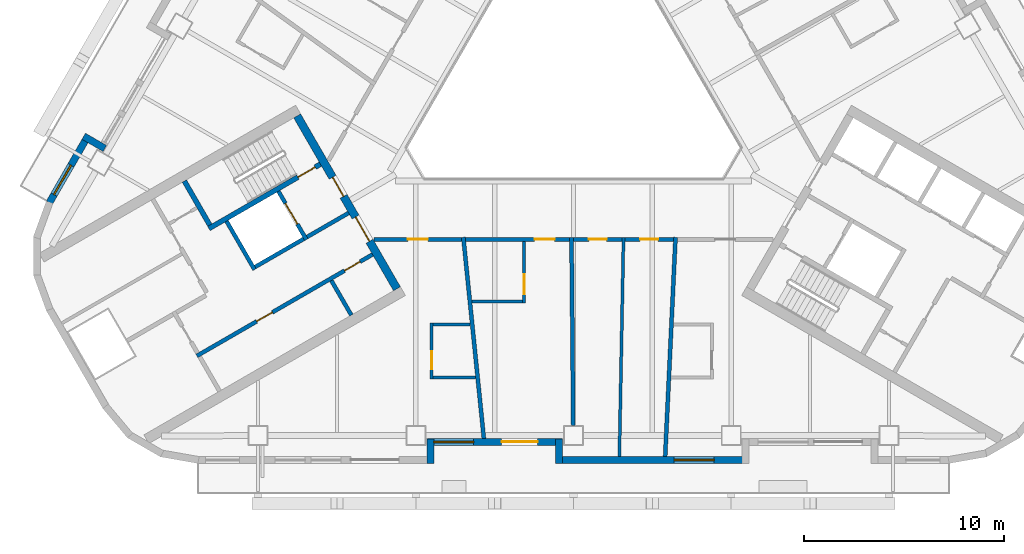
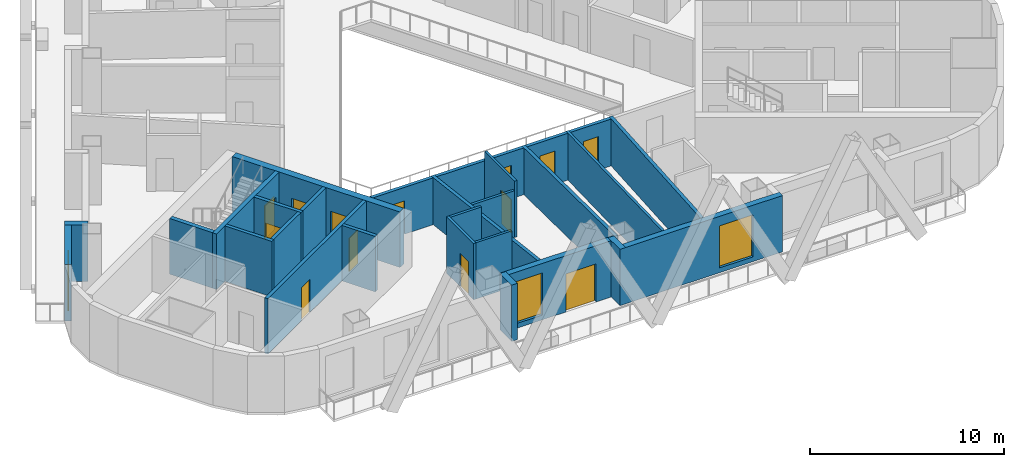
# One storey, part 3 of 14: 28 walls, 13 doors, 3 windows, 16 openings.
"""IFC4 building model written with IfcOpenShell, lengths in metres."""

from ifc_helpers import new_model, si_unit, direction, frame, frame_2d, origin, place, context, subcontext, project, spatial, rectangle, extrude, material, layer, layer_set, type_object, element, fill, save


model = new_model("IFC4")

# Units and contexts
model_context = context("Model", 3, precision=1e-05, world=origin(), true_north=direction((0.0, 1.0)))
body_context = subcontext(model_context, "Body", "Model", "MODEL_VIEW")
ifc_project = project(units=[si_unit("LENGTHUNIT", "METRE"), si_unit("AREAUNIT", "SQUARE_METRE"), si_unit("VOLUMEUNIT", "CUBIC_METRE"), si_unit("PLANEANGLEUNIT", "RADIAN"), si_unit("MASSUNIT", "GRAM", prefix="KILO")], contexts=[model_context])

# Site, building, storey
site_placement = place(None, origin())
site = spatial("IfcSite", under=ifc_project, at=site_placement, CompositionType="ELEMENT")
building_placement = place(site_placement, origin())
building = spatial("IfcBuilding", under=site, at=building_placement, Name="Apuvela Tower Hotel", CompositionType="ELEMENT")
storey_placement = place(building_placement, frame((0.0, 0.0, 76.10009765625)))
storey = spatial("IfcBuildingStorey", under=building, at=storey_placement, Name="L16", CompositionType="ELEMENT", Elevation=76.10009765625)

# Wall, openings, doors
ifc_material_1 = material(Name="Concrete C50/60", Category="concrete")
ifc_layer_1 = layer(ifc_material_1, 0.39990234375)
ifc_layer_set_1 = layer_set([ifc_layer_1], Name="COR-WALL-CORE-400")
wall_type_1 = type_object("IfcWallType", Name="COR-WALL-CORE-400", PredefinedType="SHEAR", material=ifc_layer_set_1)
wall_1_placement = place(storey_placement, frame((-13.844970703125, -2.219970703125, 0.0), z_axis=(0.0, 0.0, 1.0), x_axis=(0.500004234368, -0.866022959057, 0.0)))
wall_1 = element("IfcWall", 1, at=wall_1_placement, inside=storey, type_object=wall_type_1, Name="Core wall SW", PredefinedType="SHEAR", context=body_context, shape_type="SweptSolid", body=[
    extrude(rectangle(XDim=10.0, YDim=0.39990234375, at=frame_2d((5.0, 0.0))), origin(), (0.0, 0.0, 1.0), 3.5),
])
opening_1_placement = place(wall_1_placement, frame((3.550048828125, 0.0, 0.0)))
opening_1 = element("IfcOpeningElement", 2, at=opening_1_placement, cuts=wall_1, Name="Opening W-FD", PredefinedType="OPENING", context=body_context, shape_type="SweptSolid", body=[
    extrude(rectangle(XDim=1.10009765625, YDim=2.10009765625, at=frame_2d((0.550048828125, 1.050048828125))), frame((0.0, 0.2099609375, 0.0), z_axis=(0.0, -1.0, 0.0), x_axis=(1.0, 0.0, 0.0)), (0.0, 0.0, 1.0), 0.419921875),
])
opening_2_placement = place(wall_1_placement, frame((5.85009765625, 0.0, 0.0)))
opening_2 = element("IfcOpeningElement", 3, at=opening_2_placement, cuts=wall_1, Name="Opening W-GD", PredefinedType="OPENING", context=body_context, shape_type="SweptSolid", body=[
    extrude(rectangle(XDim=1.39990234375, YDim=2.10009765625, at=frame_2d((0.699951171875, 1.050048828125))), frame((0.0, 0.2099609375, 0.0), z_axis=(0.0, -1.0, 0.0), x_axis=(1.0, 0.0, 0.0)), (0.0, 0.0, 1.0), 0.419921875),
])
ifc_material_2 = material(Name="Steel fire door, powder coated", Category="steel")
door_type_1 = type_object("IfcDoorType", Name="COR-FD-1100", OperationType="NOTDEFINED", PredefinedType="DOOR", material=ifc_material_2)
door_1_placement = place(opening_1_placement, frame((1.10009765625, 0.0, 0.0), z_axis=(0.0, 0.0, 1.0), x_axis=(-1.0, 0.0, 0.0)))
door_1 = element("IfcDoor", 4, at=door_1_placement, inside=storey, type_object=door_type_1, Name="Firefighting lobby door W-FD", OperationType="SINGLE_SWING_LEFT", OverallHeight=2.10009765625, OverallWidth=1.10009765625, PredefinedType="DOOR", context=body_context, shape_type="SweptSolid", body=[
    extrude(rectangle(XDim=1.10009765625, YDim=2.10009765625, at=frame_2d((0.550048828125, 1.050048828125))), frame((0.0, 0.02490234375, 0.0), z_axis=(0.0, -1.0, 0.0), x_axis=(1.0, 0.0, 0.0)), (0.0, 0.0, 1.0), 0.050048828125),
])
fill(opening_1, door_1)
ifc_material_3 = material(Name="Glazed steel fire door", Category="steel")
door_type_2 = type_object("IfcDoorType", Name="COR-GD-1400", OperationType="DOUBLE_DOOR_SINGLE_SWING", PredefinedType="DOOR", material=ifc_material_3)
door_2_placement = place(opening_2_placement, frame((1.39990234375, 0.0, 0.0), z_axis=(0.0, 0.0, 1.0), x_axis=(-1.0, 0.0, 0.0)))
door_2 = element("IfcDoor", 5, at=door_2_placement, inside=storey, type_object=door_type_2, Name="Lift lobby door W-GD", OperationType="DOUBLE_DOOR_SINGLE_SWING", OverallHeight=2.10009765625, OverallWidth=1.39990234375, PredefinedType="DOOR", context=body_context, shape_type="SweptSolid", body=[
    extrude(rectangle(XDim=1.39990234375, YDim=2.10009765625, at=frame_2d((0.699951171875, 1.050048828125))), frame((0.0, 0.02490234375, 0.0), z_axis=(0.0, -1.0, 0.0), x_axis=(1.0, 0.0, 0.0)), (0.0, 0.0, 1.0), 0.050048828125),
])
fill(opening_2, door_2)

# Wall
ifc_layer_2 = layer(ifc_material_1, 0.199951171875)
ifc_layer_set_2 = layer_set([ifc_layer_2], Name="COR-WALL-SHAFT-200")
wall_type_2 = type_object("IfcWallType", Name="COR-WALL-SHAFT-200", PredefinedType="SHEAR", material=ifc_layer_set_2)
wall_2_placement = place(storey_placement, frame((-17.38134765625, -7.49462890625, 0.0), z_axis=(0.0, 0.0, 1.0), x_axis=(0.500011755427, -0.866018616679, 0.0)))
element("IfcWall", 6, at=wall_2_placement, inside=storey, type_object=wall_type_2, Name="Shaft wall SW", PredefinedType="SHEAR", context=body_context, shape_type="SweptSolid", body=[
    extrude(rectangle(XDim=2.80029296875, YDim=0.199951171875, at=frame_2d((1.400146484375, 0.0))), origin(), (0.0, 0.0, 1.0), 3.5),
])

# Wall, opening, door
wall_3_placement = place(storey_placement, frame((-14.783203125, -5.99462890625, 0.0), z_axis=(0.0, 0.0, 1.0), x_axis=(0.49994636267, -0.866056369097, 0.0)))
wall_3 = element("IfcWall", 7, at=wall_3_placement, inside=storey, type_object=wall_type_2, Name="Shaft wall SW", PredefinedType="SHEAR", context=body_context, shape_type="SweptSolid", body=[
    extrude(rectangle(XDim=2.800048828125, YDim=0.199951171875, at=frame_2d((1.39990234375, 0.0))), origin(), (0.0, 0.0, 1.0), 3.5),
])
opening_3_placement = place(wall_3_placement, frame((0.699951171875, 0.0, 0.0)))
opening_3 = element("IfcOpeningElement", 8, at=opening_3_placement, cuts=wall_3, Name="Opening W-LD-FS2", PredefinedType="OPENING", context=body_context, shape_type="SweptSolid", body=[
    extrude(rectangle(XDim=1.199951171875, YDim=2.10009765625, at=frame_2d((0.60009765625, 1.050048828125))), frame((0.0, 0.10986328125, 0.0), z_axis=(0.0, -1.0, 0.0), x_axis=(1.0, 0.0, 0.0)), (0.0, 0.0, 1.0), 0.219970703125),
])
ifc_material_4 = material(Name="Stainless steel lift landing door", Category="steel")
door_type_3 = type_object("IfcDoorType", Name="COR-LD-1200", OperationType="DOUBLE_DOOR_SLIDING", PredefinedType="DOOR", material=ifc_material_4)
door_3_placement = place(opening_3_placement, origin())
door_3 = element("IfcDoor", 9, at=door_3_placement, inside=storey, type_object=door_type_3, Name="Lift landing door W-LD-FS2", OperationType="DOUBLE_DOOR_SLIDING", OverallHeight=2.10009765625, OverallWidth=1.199951171875, PredefinedType="DOOR", context=body_context, shape_type="SweptSolid", body=[
    extrude(rectangle(XDim=1.199951171875, YDim=2.10009765625, at=frame_2d((0.60009765625, 1.050048828125))), frame((0.0, 0.02490234375, 0.0), z_axis=(0.0, -1.0, 0.0), x_axis=(1.0, 0.0, 0.0)), (0.0, 0.0, 1.0), 0.050048828125),
])
fill(opening_3, door_3)

# Walls
wall_4_placement = place(storey_placement, frame((-13.519775390625, -8.383056640625, 0.0), z_axis=(0.0, 0.0, 1.0), x_axis=(-0.866034573852, -0.49998411664, 0.0)))
element("IfcWall", 10, at=wall_4_placement, inside=storey, type_object=wall_type_2, Name="Shaft wall SW", PredefinedType="SHEAR", context=body_context, shape_type="SweptSolid", body=[
    extrude(rectangle(XDim=2.7998046875, YDim=0.199951171875, at=frame_2d((1.39990234375, 0.0))), origin(), (0.0, 0.0, 1.0), 3.5),
])
wall_5_placement = place(storey_placement, frame((-11.26806640625, -7.0830078125, 0.0), z_axis=(0.0, 0.0, 1.0), x_axis=(-0.866050077142, -0.499957262057, 0.0)))
element("IfcWall", 11, at=wall_5_placement, inside=storey, type_object=wall_type_2, Name="Shaft wall SW", PredefinedType="SHEAR", context=body_context, shape_type="SweptSolid", body=[
    extrude(rectangle(XDim=2.400146484375, YDim=0.199951171875, at=frame_2d((1.2001953125, 0.0))), origin(), (0.0, 0.0, 1.0), 3.5),
])

# Wall, openings, doors
wall_6_placement = place(storey_placement, frame((-10.068115234375, -9.16162109375, 0.0), z_axis=(0.0, 0.0, 1.0), x_axis=(-0.866032725843, -0.499987317609, 0.0)))
wall_6 = element("IfcWall", 12, at=wall_6_placement, inside=storey, type_object=wall_type_2, Name="Shaft wall SW", PredefinedType="SHEAR", context=body_context, shape_type="SweptSolid", body=[
    extrude(rectangle(XDim=10.159912109375, YDim=0.199951171875, at=frame_2d((5.080078125, 0.0))), origin(), (0.0, 0.0, 1.0), 3.5),
])
opening_4_placement = place(wall_6_placement, frame((0.719970703125, 0.0, 0.0)))
opening_4 = element("IfcOpeningElement", 13, at=opening_4_placement, cuts=wall_6, Name="Opening W-RE1", PredefinedType="OPENING", context=body_context, shape_type="SweptSolid", body=[
    extrude(rectangle(XDim=0.89990234375, YDim=2.10009765625, at=frame_2d((0.449951171875, 1.050048828125))), frame((0.0, 0.10986328125, 0.0), z_axis=(0.0, -1.0, 0.0), x_axis=(1.0, 0.0, 0.0)), (0.0, 0.0, 1.0), 0.219970703125),
])
opening_5_placement = place(wall_6_placement, frame((5.800048828125, 0.0, 0.0)))
opening_5 = element("IfcOpeningElement", 14, at=opening_5_placement, cuts=wall_6, Name="Opening W-RE2", PredefinedType="OPENING", context=body_context, shape_type="SweptSolid", body=[
    extrude(rectangle(XDim=0.89990234375, YDim=2.10009765625, at=frame_2d((0.449951171875, 1.050048828125))), frame((0.0, 0.10986328125, 0.0), z_axis=(0.0, -1.0, 0.0), x_axis=(1.0, 0.0, 0.0)), (0.0, 0.0, 1.0), 0.219970703125),
])
door_type_4 = type_object("IfcDoorType", Name="COR-DR-900", OperationType="NOTDEFINED", PredefinedType="DOOR", material=ifc_material_2)
door_4_placement = place(opening_4_placement, origin())
door_4 = element("IfcDoor", 15, at=door_4_placement, inside=storey, type_object=door_type_4, Name="Store door W-RE1", OperationType="SINGLE_SWING_LEFT", OverallHeight=2.10009765625, OverallWidth=0.89990234375, PredefinedType="DOOR", context=body_context, shape_type="SweptSolid", body=[
    extrude(rectangle(XDim=0.89990234375, YDim=2.10009765625, at=frame_2d((0.449951171875, 1.050048828125))), frame((0.0, 0.02490234375, 0.0), z_axis=(0.0, -1.0, 0.0), x_axis=(1.0, 0.0, 0.0)), (0.0, 0.0, 1.0), 0.050048828125),
])
fill(opening_4, door_4)
door_5_placement = place(opening_5_placement, origin())
door_5 = element("IfcDoor", 16, at=door_5_placement, inside=storey, type_object=door_type_4, Name="Store door W-RE2", OperationType="SINGLE_SWING_RIGHT", OverallHeight=2.10009765625, OverallWidth=0.89990234375, PredefinedType="DOOR", context=body_context, shape_type="SweptSolid", body=[
    extrude(rectangle(XDim=0.89990234375, YDim=2.10009765625, at=frame_2d((0.449951171875, 1.050048828125))), frame((0.0, 0.02490234375, 0.0), z_axis=(0.0, -1.0, 0.0), x_axis=(1.0, 0.0, 0.0)), (0.0, 0.0, 1.0), 0.050048828125),
])
fill(opening_5, door_5)

# Wall
wall_7_placement = place(storey_placement, frame((-12.131103515625, -10.468017578125, 0.0), z_axis=(0.0, 0.0, 1.0), x_axis=(0.499972520799, -0.866041268327, 0.0)))
element("IfcWall", 17, at=wall_7_placement, inside=storey, type_object=wall_type_2, Name="Shaft wall SW", PredefinedType="SHEAR", context=body_context, shape_type="SweptSolid", body=[
    extrude(rectangle(XDim=2.0, YDim=0.199951171875, at=frame_2d((1.0, 0.0))), origin(), (0.0, 0.0, 1.0), 3.5),
])

# Wall, opening, door
ifc_layer_3 = layer(ifc_material_1, 0.25)
ifc_layer_set_3 = layer_set([ifc_layer_3], Name="COR-WALL-STAIR-250")
wall_type_3 = type_object("IfcWallType", Name="COR-WALL-STAIR-250", PredefinedType="SHEAR", material=ifc_layer_set_3)
wall_8_placement = place(storey_placement, frame((-12.6806640625, -4.636474609375, 0.0), z_axis=(0.0, 0.0, 1.0), x_axis=(-0.866021702275, -0.500006411147, 0.0)))
wall_8 = element("IfcWall", 18, at=wall_8_placement, inside=storey, type_object=wall_type_3, Name="Stair wall SW", PredefinedType="SHEAR", context=body_context, shape_type="SweptSolid", body=[
    extrude(rectangle(XDim=6.4501953125, YDim=0.25, at=frame_2d((3.22509765625, 0.0))), origin(), (0.0, 0.0, 1.0), 3.5),
])
opening_6_placement = place(wall_8_placement, frame((0.300048828125, 0.0, 0.0)))
opening_6 = element("IfcOpeningElement", 19, at=opening_6_placement, cuts=wall_8, Name="Opening W-SD", PredefinedType="OPENING", context=body_context, shape_type="SweptSolid", body=[
    extrude(rectangle(XDim=1.0, YDim=2.10009765625, at=frame_2d((0.5, 1.050048828125))), frame((0.0, 0.135009765625, 0.0), z_axis=(0.0, -1.0, 0.0), x_axis=(1.0, 0.0, 0.0)), (0.0, 0.0, 1.0), 0.27001953125),
])
door_type_5 = type_object("IfcDoorType", Name="COR-SD-1000", OperationType="NOTDEFINED", PredefinedType="DOOR", material=ifc_material_2)
door_6_placement = place(opening_6_placement, frame((1.0, 0.0, 0.0), z_axis=(0.0, 0.0, 1.0), x_axis=(-1.0, 0.0, 0.0)))
door_6 = element("IfcDoor", 20, at=door_6_placement, inside=storey, type_object=door_type_5, Name="Stair door W-SD", OperationType="SINGLE_SWING_LEFT", OverallHeight=2.10009765625, OverallWidth=1.0, PredefinedType="DOOR", context=body_context, shape_type="SweptSolid", body=[
    extrude(rectangle(XDim=1.0, YDim=2.10009765625, at=frame_2d((0.5, 1.050048828125))), frame((0.0, 0.02490234375, 0.0), z_axis=(0.0, -1.0, 0.0), x_axis=(1.0, 0.0, 0.0)), (0.0, 0.0, 1.0), 0.050048828125),
])
fill(opening_6, door_6)

# Walls
wall_9_placement = place(storey_placement, frame((-19.49560546875, -5.482421875, 0.0), z_axis=(0.0, 0.0, 1.0), x_axis=(0.499990435942, -0.866030925526, 0.0)))
element("IfcWall", 21, at=wall_9_placement, inside=storey, type_object=wall_type_3, Name="Stair wall SW", PredefinedType="SHEAR", context=body_context, shape_type="SweptSolid", body=[
    extrude(rectangle(XDim=2.5498046875, YDim=0.25, at=frame_2d((1.27490234375, 0.0))), origin(), (0.0, 0.0, 1.0), 3.5),
])
ifc_material_5 = material(Name="Concrete C40/50, dark pigmented precast panel", Category="concrete")
ifc_layer_4 = layer(ifc_material_5, 0.35009765625)
ifc_layer_set_4 = layer_set([ifc_layer_4], Name="ENV-WALL-350")
wall_type_4 = type_object("IfcWallType", Name="ENV-WALL-350", PredefinedType="SOLIDWALL", material=ifc_layer_set_4)
wall_10_placement = place(storey_placement, frame((-23.48095703125, -3.85009765625, 0.0), z_axis=(0.0, 0.0, 1.0), x_axis=(-0.866092288191, 0.499884134912, 0.0)))
element("IfcWall", 22, at=wall_10_placement, inside=storey, type_object=wall_type_4, Name="External wall L16-08", PredefinedType="SOLIDWALL", context=body_context, shape_type="SweptSolid", body=[
    extrude(rectangle(XDim=1.219970703125, YDim=0.35009765625, at=frame_2d((0.60986328125, 0.0))), origin(), (0.0, 0.0, 1.0), 3.5498046875),
])

# Wall, opening, window
wall_11_placement = place(storey_placement, frame((-24.298583984375, -3.17626953125, 0.0), z_axis=(0.0, 0.0, 1.0), x_axis=(-0.500028278809, -0.866009076391, 0.0)))
wall_11 = element("IfcWall", 23, at=wall_11_placement, inside=storey, type_object=wall_type_4, Name="External wall L16-09", PredefinedType="SOLIDWALL", context=body_context, shape_type="SweptSolid", body=[
    extrude(rectangle(XDim=3.915771484375, YDim=0.35009765625, at=frame_2d((1.9580078125, 0.0))), origin(), (0.0, 0.0, 1.0), 3.5498046875),
])
opening_7_placement = place(wall_11_placement, frame((1.750244140625, 0.0, 0.300048828125)))
opening_7 = element("IfcOpeningElement", 24, at=opening_7_placement, cuts=wall_11, Name="Opening WN17", PredefinedType="OPENING", context=body_context, shape_type="SweptSolid", body=[
    extrude(rectangle(XDim=1.699951171875, YDim=2.64990234375, at=frame_2d((0.85009765625, 1.324951171875))), frame((0.0, 0.18505859375, 0.0), z_axis=(0.0, -1.0, 0.0), x_axis=(1.0, 0.0, 0.0)), (0.0, 0.0, 1.0), 0.3701171875),
])
ifc_material_6 = material(Name="Glass, dark tinted laminated insulated glazing unit", Category="glass")
window_type_1 = type_object("IfcWindowType", Name="ENV-WIN-1700x2650", PartitioningType="SINGLE_PANEL", PredefinedType="WINDOW", material=ifc_material_6)
window_1_placement = place(opening_7_placement, origin())
window_1 = element("IfcWindow", 25, at=window_1_placement, inside=storey, type_object=window_type_1, Name="Window WN17", OverallHeight=2.64990234375, OverallWidth=1.699951171875, PartitioningType="SINGLE_PANEL", PredefinedType="WINDOW", context=body_context, shape_type="SweptSolid", body=[
    extrude(rectangle(XDim=1.699951171875, YDim=2.64990234375, at=frame_2d((0.85009765625, 1.324951171875))), frame((0.0, 0.030029296875, 0.0), z_axis=(0.0, -1.0, 0.0), x_axis=(1.0, 0.0, 0.0)), (0.0, 0.0, 1.0), 0.06005859375),
])
fill(opening_7, window_1)

# Wall
wall_12_placement = place(storey_placement, frame((-7.175048828125, -19.6298828125, 0.0), z_axis=(0.0, 0.0, 1.0), x_axis=(0.0, 1.0, 0.0)))
element("IfcWall", 26, at=wall_12_placement, inside=storey, type_object=wall_type_4, Name="External wall L16-18", PredefinedType="SOLIDWALL", context=body_context, shape_type="SweptSolid", body=[
    extrude(rectangle(XDim=1.219970703125, YDim=0.35009765625, at=frame_2d((0.60986328125, 0.0))), origin(), (0.0, 0.0, 1.0), 3.5498046875),
])

# Wall, openings, door, window
wall_13_placement = place(storey_placement, frame((-7.320068359375, -18.554931640625, 0.0), z_axis=(0.0, 0.0, 1.0), x_axis=(1.0, 0.0, 0.0)))
wall_13 = element("IfcWall", 27, at=wall_13_placement, inside=storey, type_object=wall_type_4, Name="External wall L16-19", PredefinedType="SOLIDWALL", context=body_context, shape_type="SweptSolid", body=[
    extrude(rectangle(XDim=6.739990234375, YDim=0.35009765625, at=frame_2d((3.3701171875, 0.0))), origin(), (0.0, 0.0, 1.0), 3.5498046875),
])
opening_8_placement = place(wall_13_placement, frame((0.3203125, 0.0, 0.300048828125)))
opening_8 = element("IfcOpeningElement", 28, at=opening_8_placement, cuts=wall_13, Name="Opening WN20", PredefinedType="OPENING", context=body_context, shape_type="SweptSolid", body=[
    extrude(rectangle(XDim=2.0, YDim=2.64990234375, at=frame_2d((1.0, 1.324951171875))), frame((0.0, 0.18505859375, 0.0), z_axis=(0.0, -1.0, 0.0), x_axis=(1.0, 0.0, 0.0)), (0.0, 0.0, 1.0), 0.3701171875),
])
opening_9_placement = place(wall_13_placement, frame((3.7236328125, 0.0, 0.0)))
opening_9 = element("IfcOpeningElement", 29, at=opening_9_placement, cuts=wall_13, Name="Opening BD18", PredefinedType="OPENING", context=body_context, shape_type="SweptSolid", body=[
    extrude(rectangle(XDim=1.800048828125, YDim=2.39990234375, at=frame_2d((0.89990234375, 1.199951171875))), frame((0.0, 0.18505859375, 0.0), z_axis=(0.0, -1.0, 0.0), x_axis=(1.0, 0.0, 0.0)), (0.0, 0.0, 1.0), 0.3701171875),
])
ifc_material_7 = material(Name="Aluminium 6063-T6, dark bronze anodised frame with dark tinted laminated glass", Category="aluminium")
door_type_6 = type_object("IfcDoorType", Name="ENV-DOOR-BALCONY-1800x2400", OperationType="SLIDING_TO_LEFT", PredefinedType="DOOR", material=ifc_material_7)
door_7_placement = place(opening_9_placement, frame((1.800048828125, 0.0, 0.0), z_axis=(0.0, 0.0, 1.0), x_axis=(-1.0, 0.0, 0.0)))
door_7 = element("IfcDoor", 30, at=door_7_placement, inside=storey, type_object=door_type_6, Name="Balcony door BD18", OperationType="SLIDING_TO_LEFT", OverallHeight=2.39990234375, OverallWidth=1.800048828125, PredefinedType="DOOR", context=body_context, shape_type="SweptSolid", body=[
    extrude(rectangle(XDim=1.800048828125, YDim=2.39990234375, at=frame_2d((0.89990234375, 1.199951171875))), frame((0.0, 0.02490234375, 0.0), z_axis=(0.0, -1.0, 0.0), x_axis=(1.0, 0.0, 0.0)), (0.0, 0.0, 1.0), 0.050048828125),
])
fill(opening_9, door_7)
window_type_2 = type_object("IfcWindowType", Name="ENV-WIN-2000x2650", PartitioningType="SINGLE_PANEL", PredefinedType="WINDOW", material=ifc_material_6)
window_2_placement = place(opening_8_placement, origin())
window_2 = element("IfcWindow", 31, at=window_2_placement, inside=storey, type_object=window_type_2, Name="Window WN20", OverallHeight=2.64990234375, OverallWidth=2.0, PartitioningType="SINGLE_PANEL", PredefinedType="WINDOW", context=body_context, shape_type="SweptSolid", body=[
    extrude(rectangle(XDim=2.0, YDim=2.64990234375, at=frame_2d((1.0, 1.324951171875))), frame((0.0, 0.030029296875, 0.0), z_axis=(0.0, -1.0, 0.0), x_axis=(1.0, 0.0, 0.0)), (0.0, 0.0, 1.0), 0.06005859375),
])
fill(opening_8, window_2)

# Wall
wall_14_placement = place(storey_placement, frame((-0.72509765625, -18.409912109375, 0.0), z_axis=(0.0, 0.0, 1.0), x_axis=(0.0, -1.0, 0.0)))
element("IfcWall", 32, at=wall_14_placement, inside=storey, type_object=wall_type_4, Name="External wall L16-20", PredefinedType="SOLIDWALL", context=body_context, shape_type="SweptSolid", body=[
    extrude(rectangle(XDim=1.219970703125, YDim=0.35009765625, at=frame_2d((0.60986328125, 0.0))), origin(), (0.0, 0.0, 1.0), 3.5498046875),
])

# Wall, opening, window
wall_15_placement = place(storey_placement, frame((-0.89990234375, -19.455078125, 0.0), z_axis=(0.0, 0.0, 1.0), x_axis=(1.0, 0.0, 0.0)))
wall_15 = element("IfcWall", 33, at=wall_15_placement, inside=storey, type_object=wall_type_4, Name="External wall L16-21", PredefinedType="SOLIDWALL", context=body_context, shape_type="SweptSolid", body=[
    extrude(rectangle(XDim=9.699951171875, YDim=0.35009765625, at=frame_2d((4.85009765625, 0.0))), origin(), (0.0, 0.0, 1.0), 3.5498046875),
])
opening_10_placement = place(wall_15_placement, frame((5.9404296875, 0.0, 0.300048828125)))
opening_10 = element("IfcOpeningElement", 34, at=opening_10_placement, cuts=wall_15, Name="Opening WN20", PredefinedType="OPENING", context=body_context, shape_type="SweptSolid", body=[
    extrude(rectangle(XDim=2.0, YDim=2.64990234375, at=frame_2d((1.0, 1.324951171875))), frame((0.0, 0.18505859375, 0.0), z_axis=(0.0, -1.0, 0.0), x_axis=(1.0, 0.0, 0.0)), (0.0, 0.0, 1.0), 0.3701171875),
])
window_3_placement = place(opening_10_placement, origin())
window_3 = element("IfcWindow", 35, at=window_3_placement, inside=storey, type_object=window_type_2, Name="Window WN20", OverallHeight=2.64990234375, OverallWidth=2.0, PartitioningType="SINGLE_PANEL", PredefinedType="WINDOW", context=body_context, shape_type="SweptSolid", body=[
    extrude(rectangle(XDim=2.0, YDim=2.64990234375, at=frame_2d((1.0, 1.324951171875))), frame((0.0, 0.030029296875, 0.0), z_axis=(0.0, -1.0, 0.0), x_axis=(1.0, 0.0, 0.0)), (0.0, 0.0, 1.0), 0.06005859375),
])
fill(opening_10, window_3)

# Walls
ifc_material_8 = material(Name="Gypsum board partition on twin steel stud", Category="steel")
ifc_layer_5 = layer(ifc_material_8, 0.199951171875)
ifc_layer_set_5 = layer_set([ifc_layer_5], Name="GST-PW1")
wall_type_5 = type_object("IfcWallType", Name="GST-PW1", PredefinedType="PARTITIONING", material=ifc_layer_set_5)
wall_16_placement = place(storey_placement, frame((-4.49169921875, -18.3798828125, 0.0), z_axis=(0.0, 0.0, 1.0), x_axis=(-0.101538508549, 0.994831609511, 0.0)))
element("IfcWall", 36, at=wall_16_placement, inside=storey, type_object=wall_type_5, Name="L16 partition 01", PredefinedType="PARTITIONING", context=body_context, shape_type="SweptSolid", body=[
    extrude(rectangle(XDim=10.132080078125, YDim=0.199951171875, at=frame_2d((5.06591796875, 0.0))), origin(), (0.0, 0.0, 1.0), 2.9599609375),
])
wall_17_placement = place(storey_placement, frame((-0.014404296875, -17.72998046875, 0.0), z_axis=(0.0, 0.0, 1.0), x_axis=(-0.00926821032, 0.999957049216, 0.0)))
element("IfcWall", 37, at=wall_17_placement, inside=storey, type_object=wall_type_5, Name="L16 partition 02", PredefinedType="PARTITIONING", context=body_context, shape_type="SweptSolid", body=[
    extrude(rectangle(XDim=9.430419921875, YDim=0.199951171875, at=frame_2d((4.71533203125, 0.0))), origin(), (0.0, 0.0, 1.0), 2.949951171875),
])
wall_18_placement = place(storey_placement, frame((4.590087890625, -19.280029296875, 0.0), z_axis=(0.0, 0.0, 1.0), x_axis=(0.04726334954, 0.998882463451, 0.0)))
element("IfcWall", 38, at=wall_18_placement, inside=storey, type_object=wall_type_5, Name="L16 partition 03", PredefinedType="PARTITIONING", context=body_context, shape_type="SweptSolid", body=[
    extrude(rectangle(XDim=10.9921875, YDim=0.199951171875, at=frame_2d((5.49609375, 0.0))), origin(), (0.0, 0.0, 1.0), 2.9599609375),
])

# Wall, opening, door
ifc_material_9 = material(Name="Gypsum board corridor wall on twin steel stud, acoustic", Category="steel")
ifc_layer_6 = layer(ifc_material_9, 0.199951171875)
ifc_layer_set_6 = layer_set([ifc_layer_6], Name="GST-PW2")
wall_type_6 = type_object("IfcWallType", Name="GST-PW2", PredefinedType="PARTITIONING", material=ifc_layer_set_6)
wall_19_placement = place(storey_placement, frame((-5.610595703125, -8.39990234375, 0.0), z_axis=(0.0, 0.0, 1.0), x_axis=(-1.0, 0.0, 0.0)))
wall_19 = element("IfcWall", 39, at=wall_19_placement, inside=storey, type_object=wall_type_6, Name="L16 partition 09", PredefinedType="PARTITIONING", context=body_context, shape_type="SweptSolid", body=[
    extrude(rectangle(XDim=4.377685546875, YDim=0.199951171875, at=frame_2d((2.18896484375, 0.0))), origin(), (0.0, 0.0, 1.0), 2.949951171875),
])
opening_11_placement = place(wall_19_placement, frame((1.688720703125, 0.0, 0.0)))
opening_11 = element("IfcOpeningElement", 40, at=opening_11_placement, cuts=wall_19, Name="Opening GD04-02", PredefinedType="OPENING", context=body_context, shape_type="SweptSolid", body=[
    extrude(rectangle(XDim=1.0, YDim=2.10009765625, at=frame_2d((0.5, 1.050048828125))), frame((0.0, 0.10986328125, 0.0), z_axis=(0.0, -1.0, 0.0), x_axis=(1.0, 0.0, 0.0)), (0.0, 0.0, 1.0), 0.219970703125),
])
ifc_material_10 = material(Name="Timber door leaf in steel frame", Category="steel")
door_type_7 = type_object("IfcDoorType", Name="GST-D1", OperationType="NOTDEFINED", PredefinedType="DOOR", material=ifc_material_10)
door_8_placement = place(opening_11_placement, origin())
door_8 = element("IfcDoor", 41, at=door_8_placement, inside=storey, type_object=door_type_7, Name="Door L16-02", OperationType="SINGLE_SWING_LEFT", OverallHeight=2.10009765625, OverallWidth=1.0, PredefinedType="DOOR", context=body_context, shape_type="SweptSolid", body=[
    extrude(rectangle(XDim=1.0, YDim=2.10009765625, at=frame_2d((0.5, 1.050048828125))), frame((0.0, 0.02490234375, 0.0), z_axis=(0.0, -1.0, 0.0), x_axis=(1.0, 0.0, 0.0)), (0.0, 0.0, 1.0), 0.050048828125),
])
fill(opening_11, door_8)

wall_20_placement = place(storey_placement, frame((-0.200927734375, -8.39990234375, 0.0), z_axis=(0.0, 0.0, 1.0), x_axis=(-1.0, 0.0, 0.0)))
wall_20 = element("IfcWall", 42, at=wall_20_placement, inside=storey, type_object=wall_type_6, Name="L16 partition 13", PredefinedType="PARTITIONING", context=body_context, shape_type="SweptSolid", body=[
    extrude(rectangle(XDim=5.208740234375, YDim=0.199951171875, at=frame_2d((2.6044921875, 0.0))), origin(), (0.0, 0.0, 1.0), 2.949951171875),
])
opening_12_placement = place(wall_20_placement, frame((0.74853515625, 0.0, 0.0)))
opening_12 = element("IfcOpeningElement", 43, at=opening_12_placement, cuts=wall_20, Name="Opening GD04-04", PredefinedType="OPENING", context=body_context, shape_type="SweptSolid", body=[
    extrude(rectangle(XDim=1.0, YDim=2.10009765625, at=frame_2d((0.5, 1.050048828125))), frame((0.0, 0.10986328125, 0.0), z_axis=(0.0, -1.0, 0.0), x_axis=(1.0, 0.0, 0.0)), (0.0, 0.0, 1.0), 0.219970703125),
])
door_9_placement = place(opening_12_placement, origin())
door_9 = element("IfcDoor", 44, at=door_9_placement, inside=storey, type_object=door_type_7, Name="Door L16-04", OperationType="SINGLE_SWING_LEFT", OverallHeight=2.10009765625, OverallWidth=1.0, PredefinedType="DOOR", context=body_context, shape_type="SweptSolid", body=[
    extrude(rectangle(XDim=1.0, YDim=2.10009765625, at=frame_2d((0.5, 1.050048828125))), frame((0.0, 0.02490234375, 0.0), z_axis=(0.0, -1.0, 0.0), x_axis=(1.0, 0.0, 0.0)), (0.0, 0.0, 1.0), 0.050048828125),
])
fill(opening_12, door_9)

wall_21_placement = place(storey_placement, frame((2.427001953125, -8.39990234375, 0.0), z_axis=(0.0, 0.0, 1.0), x_axis=(-1.0, 0.0, 0.0)))
wall_21 = element("IfcWall", 45, at=wall_21_placement, inside=storey, type_object=wall_type_6, Name="L16 partition 17", PredefinedType="PARTITIONING", context=body_context, shape_type="SweptSolid", body=[
    extrude(rectangle(XDim=2.427978515625, YDim=0.199951171875, at=frame_2d((1.2138671875, 0.0))), origin(), (0.0, 0.0, 1.0), 2.949951171875),
])
opening_13_placement = place(wall_21_placement, frame((0.763916015625, 0.0, 0.0)))
opening_13 = element("IfcOpeningElement", 46, at=opening_13_placement, cuts=wall_21, Name="Opening GD04-05", PredefinedType="OPENING", context=body_context, shape_type="SweptSolid", body=[
    extrude(rectangle(XDim=0.89990234375, YDim=2.10009765625, at=frame_2d((0.449951171875, 1.050048828125))), frame((0.0, 0.10986328125, 0.0), z_axis=(0.0, -1.0, 0.0), x_axis=(1.0, 0.0, 0.0)), (0.0, 0.0, 1.0), 0.219970703125),
])
door_type_8 = type_object("IfcDoorType", Name="GST-D2", OperationType="NOTDEFINED", PredefinedType="DOOR", material=ifc_material_10)
door_10_placement = place(opening_13_placement, origin())
door_10 = element("IfcDoor", 47, at=door_10_placement, inside=storey, type_object=door_type_8, Name="Door L16-05", OperationType="SINGLE_SWING_LEFT", OverallHeight=2.10009765625, OverallWidth=0.89990234375, PredefinedType="DOOR", context=body_context, shape_type="SweptSolid", body=[
    extrude(rectangle(XDim=0.89990234375, YDim=2.10009765625, at=frame_2d((0.449951171875, 1.050048828125))), frame((0.0, 0.02490234375, 0.0), z_axis=(0.0, -1.0, 0.0), x_axis=(1.0, 0.0, 0.0)), (0.0, 0.0, 1.0), 0.050048828125),
])
fill(opening_13, door_10)

wall_22_placement = place(storey_placement, frame((5.004638671875, -8.39990234375, 0.0), z_axis=(0.0, 0.0, 1.0), x_axis=(-1.0, 0.0, 0.0)))
wall_22 = element("IfcWall", 48, at=wall_22_placement, inside=storey, type_object=wall_type_6, Name="L16 partition 18", PredefinedType="PARTITIONING", context=body_context, shape_type="SweptSolid", body=[
    extrude(rectangle(XDim=2.427734375, YDim=0.199951171875, at=frame_2d((1.2138671875, 0.0))), origin(), (0.0, 0.0, 1.0), 2.949951171875),
])
opening_14_placement = place(wall_22_placement, frame((0.763916015625, 0.0, 0.0)))
opening_14 = element("IfcOpeningElement", 49, at=opening_14_placement, cuts=wall_22, Name="Opening GD04-06", PredefinedType="OPENING", context=body_context, shape_type="SweptSolid", body=[
    extrude(rectangle(XDim=0.89990234375, YDim=2.10009765625, at=frame_2d((0.449951171875, 1.050048828125))), frame((0.0, 0.10986328125, 0.0), z_axis=(0.0, -1.0, 0.0), x_axis=(1.0, 0.0, 0.0)), (0.0, 0.0, 1.0), 0.219970703125),
])
door_11_placement = place(opening_14_placement, origin())
door_11 = element("IfcDoor", 50, at=door_11_placement, inside=storey, type_object=door_type_8, Name="Door L16-06", OperationType="SINGLE_SWING_RIGHT", OverallHeight=2.10009765625, OverallWidth=0.89990234375, PredefinedType="DOOR", context=body_context, shape_type="SweptSolid", body=[
    extrude(rectangle(XDim=0.89990234375, YDim=2.10009765625, at=frame_2d((0.449951171875, 1.050048828125))), frame((0.0, 0.02490234375, 0.0), z_axis=(0.0, -1.0, 0.0), x_axis=(1.0, 0.0, 0.0)), (0.0, 0.0, 1.0), 0.050048828125),
])
fill(opening_14, door_11)

ifc_material_11 = material(Name="Moisture-resistant gypsum board wet wall on steel stud", Category="steel")
ifc_layer_7 = layer(ifc_material_11, 0.14990234375)
ifc_layer_set_7 = layer_set([ifc_layer_7], Name="GST-PW3")
wall_type_7 = type_object("IfcWallType", Name="GST-PW3", PredefinedType="PARTITIONING", material=ifc_layer_set_7)
wall_23_placement = place(storey_placement, frame((-7.107177734375, -12.60009765625, 0.0), z_axis=(0.0, 0.0, 1.0), x_axis=(0.0, -1.0, 0.0)))
wall_23 = element("IfcWall", 51, at=wall_23_placement, inside=storey, type_object=wall_type_7, Name="L16 partition 10", PredefinedType="PARTITIONING", context=body_context, shape_type="SweptSolid", body=[
    extrude(rectangle(XDim=2.7998046875, YDim=0.14990234375, at=frame_2d((1.39990234375, 0.0))), origin(), (0.0, 0.0, 1.0), 3.5498046875),
])
opening_15_placement = place(wall_23_placement, frame((1.39990234375, 0.0, 0.0)))
opening_15 = element("IfcOpeningElement", 52, at=opening_15_placement, cuts=wall_23, Name="Opening GD04-01", PredefinedType="OPENING", context=body_context, shape_type="SweptSolid", body=[
    extrude(rectangle(XDim=0.89990234375, YDim=2.10009765625, at=frame_2d((0.449951171875, 1.050048828125))), frame((0.0, 0.0849609375, 0.0), z_axis=(0.0, -1.0, 0.0), x_axis=(1.0, 0.0, 0.0)), (0.0, 0.0, 1.0), 0.169921875),
])
door_12_placement = place(opening_15_placement, origin())
door_12 = element("IfcDoor", 53, at=door_12_placement, inside=storey, type_object=door_type_8, Name="Door L16-01", OperationType="SINGLE_SWING_RIGHT", OverallHeight=2.10009765625, OverallWidth=0.89990234375, PredefinedType="DOOR", context=body_context, shape_type="SweptSolid", body=[
    extrude(rectangle(XDim=0.89990234375, YDim=2.10009765625, at=frame_2d((0.449951171875, 1.050048828125))), frame((0.0, 0.02490234375, 0.0), z_axis=(0.0, -1.0, 0.0), x_axis=(1.0, 0.0, 0.0)), (0.0, 0.0, 1.0), 0.050048828125),
])
fill(opening_15, door_12)

# Walls
wall_24_placement = place(storey_placement, frame((-7.0322265625, -15.324951171875, 0.0), z_axis=(0.0, 0.0, 1.0), x_axis=(1.0, 0.0, 0.0)))
element("IfcWall", 54, at=wall_24_placement, inside=storey, type_object=wall_type_7, Name="L16 partition 11", PredefinedType="PARTITIONING", context=body_context, shape_type="SweptSolid", body=[
    extrude(rectangle(XDim=2.128173828125, YDim=0.14990234375, at=frame_2d((1.06396484375, 0.0))), origin(), (0.0, 0.0, 1.0), 3.5498046875),
])
wall_25_placement = place(storey_placement, frame((-7.0322265625, -12.675048828125, 0.0), z_axis=(0.0, 0.0, 1.0), x_axis=(1.0, 0.0, 0.0)))
element("IfcWall", 55, at=wall_25_placement, inside=storey, type_object=wall_type_7, Name="L16 partition 12", PredefinedType="PARTITIONING", context=body_context, shape_type="SweptSolid", body=[
    extrude(rectangle(XDim=1.857666015625, YDim=0.14990234375, at=frame_2d((0.9287109375, 0.0))), origin(), (0.0, 0.0, 1.0), 3.5498046875),
])

# Wall, opening, door
wall_26_placement = place(storey_placement, frame((-2.474609375, -11.60009765625, 0.0), z_axis=(0.0, 0.0, 1.0), x_axis=(0.0, 1.0, 0.0)))
wall_26 = element("IfcWall", 56, at=wall_26_placement, inside=storey, type_object=wall_type_7, Name="L16 partition 14", PredefinedType="PARTITIONING", context=body_context, shape_type="SweptSolid", body=[
    extrude(rectangle(XDim=3.10009765625, YDim=0.14990234375, at=frame_2d((1.550048828125, 0.0))), origin(), (0.0, 0.0, 1.0), 3.5498046875),
])
opening_16_placement = place(wall_26_placement, frame((0.449951171875, 0.0, 0.0)))
opening_16 = element("IfcOpeningElement", 57, at=opening_16_placement, cuts=wall_26, Name="Opening GD04-03", PredefinedType="OPENING", context=body_context, shape_type="SweptSolid", body=[
    extrude(rectangle(XDim=1.0, YDim=2.10009765625, at=frame_2d((0.5, 1.050048828125))), frame((0.0, 0.0849609375, 0.0), z_axis=(0.0, -1.0, 0.0), x_axis=(1.0, 0.0, 0.0)), (0.0, 0.0, 1.0), 0.169921875),
])
door_13_placement = place(opening_16_placement, origin())
door_13 = element("IfcDoor", 58, at=door_13_placement, inside=storey, type_object=door_type_7, Name="Door L16-03", OperationType="SINGLE_SWING_LEFT", OverallHeight=2.10009765625, OverallWidth=1.0, PredefinedType="DOOR", context=body_context, shape_type="SweptSolid", body=[
    extrude(rectangle(XDim=1.0, YDim=2.10009765625, at=frame_2d((0.5, 1.050048828125))), frame((0.0, 0.02490234375, 0.0), z_axis=(0.0, -1.0, 0.0), x_axis=(1.0, 0.0, 0.0)), (0.0, 0.0, 1.0), 0.050048828125),
])
fill(opening_16, door_13)

# Walls
wall_27_placement = place(storey_placement, frame((-5.0908203125, -11.52490234375, 0.0), z_axis=(0.0, 0.0, 1.0), x_axis=(1.0, 0.0, 0.0)))
element("IfcWall", 59, at=wall_27_placement, inside=storey, type_object=wall_type_7, Name="L16 partition 15", PredefinedType="PARTITIONING", context=body_context, shape_type="SweptSolid", body=[
    extrude(rectangle(XDim=2.541259765625, YDim=0.14990234375, at=frame_2d((1.2705078125, 0.0))), origin(), (0.0, 0.0, 1.0), 2.949951171875),
])
wall_28_placement = place(storey_placement, frame((2.294921875, -19.280029296875, 0.0), z_axis=(0.0, 0.0, 1.0), x_axis=(0.01902977261, 0.999818917482, 0.0)))
element("IfcWall", 60, at=wall_28_placement, inside=storey, type_object=wall_type_7, Name="L16 partition 16", PredefinedType="PARTITIONING", context=body_context, shape_type="SweptSolid", body=[
    extrude(rectangle(XDim=10.98193359375, YDim=0.14990234375, at=frame_2d((5.490966796875, 0.0))), origin(), (0.0, 0.0, 1.0), 2.9599609375),
])

save(model, "model.ifc")
